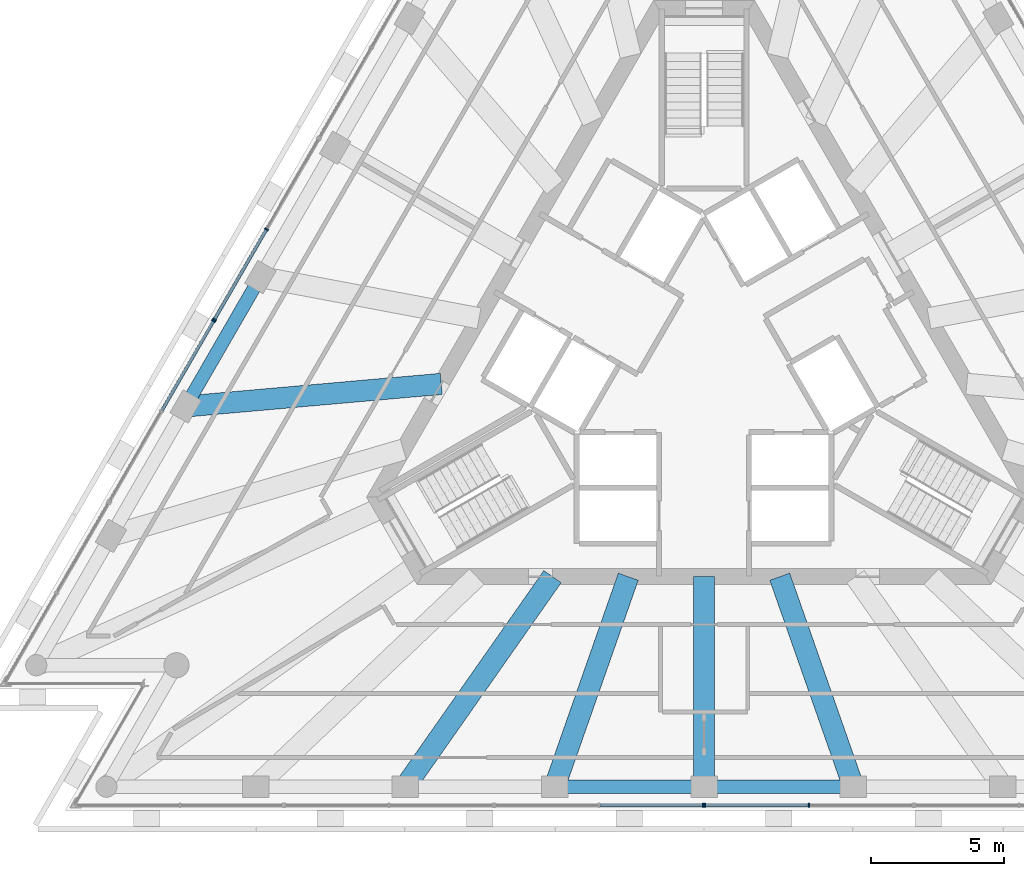
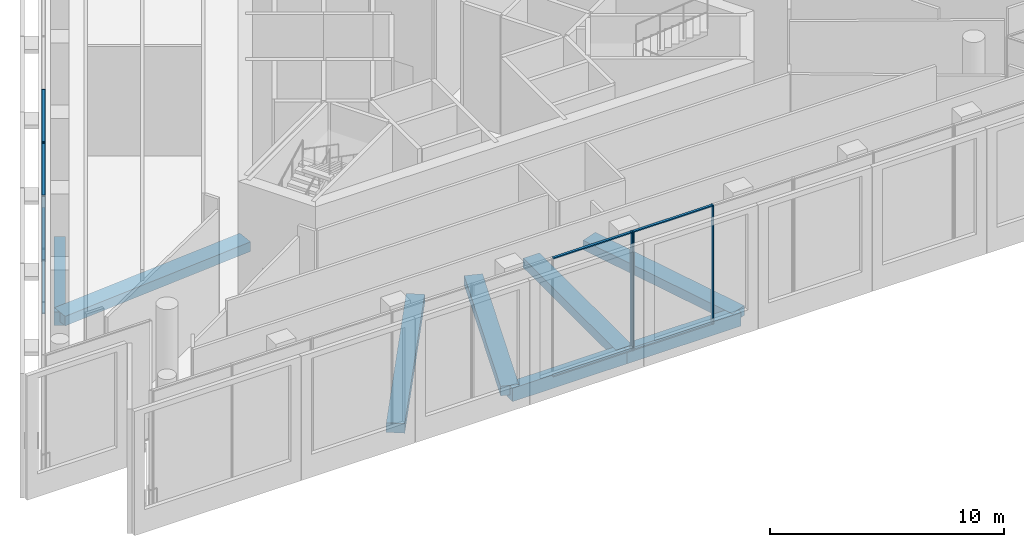
# One storey, part 3 of 16: 14 members, 8 beams, 4 elements without a shape of their own.
"""IFC4 building model written with IfcOpenShell, lengths in metres."""

from ifc_helpers import new_model, si_unit, direction, frame, origin, origin_2d, place, context, subcontext, project, spatial, rectangle, extrude, material, layer, layer_set, material_profile, profile_set, type_object, element, aggregate, save


model = new_model("IFC4")

# Units and contexts
model_context = context("Model", 3, precision=1e-05, world=origin(), true_north=direction((0.0, 1.0)))
body_context = subcontext(model_context, "Body", "Model", "MODEL_VIEW")
ifc_project = project(units=[si_unit("LENGTHUNIT", "METRE"), si_unit("AREAUNIT", "SQUARE_METRE"), si_unit("VOLUMEUNIT", "CUBIC_METRE"), si_unit("PLANEANGLEUNIT", "RADIAN"), si_unit("MASSUNIT", "GRAM", prefix="KILO")], contexts=[model_context])

# Site, building, storey
site_placement = place(None, origin())
site = spatial("IfcSite", under=ifc_project, at=site_placement, CompositionType="ELEMENT")
building_placement = place(site_placement, origin())
building = spatial("IfcBuilding", under=site, at=building_placement, Name="Triada Interchange Tower", CompositionType="ELEMENT")
storey_placement = place(building_placement, frame((0.0, 0.0, 261.800048828125)))
storey = spatial("IfcBuildingStorey", under=building, at=storey_placement, Name="L61", CompositionType="ELEMENT", Elevation=261.800048828125)

# Curtain wall, members
ifc_material_1 = material(Name="Aluminium framed glazing", Category="aluminium")
ifc_layer = layer(ifc_material_1, 0.199951171875)
ifc_layer_set = layer_set([ifc_layer], Name="Curtain wall Sky lobby glazing")
curtain_wall_type = type_object("IfcCurtainWallType", Name="Curtain wall Sky lobby glazing", PredefinedType="NOTDEFINED", material=ifc_layer_set)
curtain_wall_1_placement = place(storey_placement, origin())
curtain_wall_1 = element("IfcCurtainWall", 1, at=curtain_wall_1_placement, inside=storey, type_object=curtain_wall_type, Name="Sky lobby glazing CW204 L61", PredefinedType="NOTDEFINED")
ifc_material_2 = material(Name="Aluminium", Category="aluminium")
ifc_material_profile_1 = material_profile(ifc_material_2, rectangle(XDim=0.159912109375, YDim=0.06005859375, at=origin_2d()), Name="Aluminium mullion")
ifc_profile_set_1 = profile_set([ifc_material_profile_1], Name="Aluminium")
member_type_1 = type_object("IfcMemberType", Name="Mullion Sky lobby glazing 160x60", PredefinedType="MULLION", material=ifc_profile_set_1)
member_1_placement = place(storey_placement, frame((-16.509033203125, 4.9580078125, 0.0), z_axis=(0.0, 0.0, 1.0), x_axis=(0.866025625136, -0.499999616608, 0.0)))
member_1 = element("IfcMember", 2, at=member_1_placement, type_object=member_type_1, Name="CW204 mullion 2", PredefinedType="MULLION", context=body_context, shape_type="SweptSolid", body=[
    extrude(rectangle(XDim=0.159912109375, YDim=0.06005859375, at=origin_2d()), origin(), (0.0, 0.0, 1.0), 6.199951171875),
])
member_2_placement = place(storey_placement, frame((-18.471923828125, 1.557861328125, 0.0), z_axis=(0.0, 0.0, 1.0), x_axis=(0.866025625136, -0.499999616608, 0.0)))
member_2 = element("IfcMember", 3, at=member_2_placement, type_object=member_type_1, Name="CW204 mullion 3", PredefinedType="MULLION", context=body_context, shape_type="SweptSolid", body=[
    extrude(rectangle(XDim=0.159912109375, YDim=0.06005859375, at=origin_2d()), origin(), (0.0, 0.0, 1.0), 6.199951171875),
])

# Curtain wall, member
curtain_wall_2_placement = place(storey_placement, origin())
curtain_wall_2 = element("IfcCurtainWall", 4, at=curtain_wall_2_placement, inside=storey, type_object=curtain_wall_type, Name="Sky lobby glazing CW205 L61", PredefinedType="NOTDEFINED")
member_3_placement = place(storey_placement, frame((-18.507080078125, 1.498046875, 0.0), z_axis=(0.0, 0.0, 1.0), x_axis=(0.866080351938, -0.499904814926, 0.0)))
member_3 = element("IfcMember", 5, at=member_3_placement, type_object=member_type_1, Name="CW205 mullion 1", PredefinedType="MULLION", context=body_context, shape_type="SweptSolid", body=[
    extrude(rectangle(XDim=0.159912109375, YDim=0.06005859375, at=origin_2d()), origin(), (0.0, 0.0, 1.0), 6.199951171875),
])

curtain_wall_3_placement = place(storey_placement, origin())
curtain_wall_3 = element("IfcCurtainWall", 6, at=curtain_wall_3_placement, inside=storey, type_object=curtain_wall_type, Name="Sky lobby glazing CW211 L61", PredefinedType="NOTDEFINED")
member_4_placement = place(storey_placement, frame((-0.034912109375, -16.77587890625, 0.0), z_axis=(0.0, 0.0, 1.0), x_axis=(0.0, 1.0, 0.0)))
member_4 = element("IfcMember", 7, at=member_4_placement, type_object=member_type_1, Name="CW211 mullion 3", PredefinedType="MULLION", context=body_context, shape_type="SweptSolid", body=[
    extrude(rectangle(XDim=0.159912109375, YDim=0.06005859375, at=origin_2d()), origin(), (0.0, 0.0, 1.0), 6.199951171875),
])

# Curtain wall, members
curtain_wall_4_placement = place(storey_placement, origin())
curtain_wall_4 = element("IfcCurtainWall", 8, at=curtain_wall_4_placement, inside=storey, type_object=curtain_wall_type, Name="Sky lobby glazing CW212 L61", PredefinedType="NOTDEFINED")
member_5_placement = place(storey_placement, frame((0.034912109375, -16.77587890625, 0.0), z_axis=(0.0, 0.0, 1.0), x_axis=(0.0, 1.0, 0.0)))
member_5 = element("IfcMember", 9, at=member_5_placement, type_object=member_type_1, Name="CW212 mullion 1", PredefinedType="MULLION", context=body_context, shape_type="SweptSolid", body=[
    extrude(rectangle(XDim=0.159912109375, YDim=0.06005859375, at=origin_2d()), origin(), (0.0, 0.0, 1.0), 6.199951171875),
])
member_6_placement = place(storey_placement, frame((3.9609375, -16.77587890625, 0.0), z_axis=(0.0, 0.0, 1.0), x_axis=(0.0, 1.0, 0.0)))
member_6 = element("IfcMember", 10, at=member_6_placement, type_object=member_type_1, Name="CW212 mullion 2", PredefinedType="MULLION", context=body_context, shape_type="SweptSolid", body=[
    extrude(rectangle(XDim=0.159912109375, YDim=0.06005859375, at=origin_2d()), origin(), (0.0, 0.0, 1.0), 6.199951171875),
])

# Beams
ifc_material_3 = material(Name="Concrete C50/60", Category="concrete")
ifc_material_profile_2 = material_profile(ifc_material_3, rectangle(XDim=0.800048828125, YDim=0.5, at=origin_2d()), Name="RC 800x500")
ifc_profile_set_2 = profile_set([ifc_material_profile_2], Name="Concrete C50/60")
beam_type_1 = type_object("IfcBeamType", Name="Radial band beam D RC 800x500", PredefinedType="BEAM", material=ifc_profile_set_2)
beam_1_placement = place(storey_placement, frame((-19.56005859375, -1.72705078125, -0.550048828125), z_axis=(0.996128681073, 0.08790705742, 0.0), x_axis=(-0.08790705742, 0.996128681073, 0.0)))
element("IfcBeam", 11, at=beam_1_placement, inside=storey, type_object=beam_type_1, Name="Radial band beam BD07 L61", PredefinedType="BEAM", context=body_context, shape_type="SweptSolid", body=[
    extrude(rectangle(XDim=0.800048828125, YDim=0.5, at=origin_2d()), origin(), (0.0, 0.0, 1.0), 9.681640625),
])
beam_2_placement = place(storey_placement, frame((-11.27587890625, -16.075927734375, -0.550048828125), z_axis=(0.574198355438, 0.81871621983, 0.0), x_axis=(-0.81871621983, 0.574198355438, 0.0)))
element("IfcBeam", 12, at=beam_2_placement, inside=storey, type_object=beam_type_1, Name="Radial band beam BD13 L61", PredefinedType="BEAM", context=body_context, shape_type="SweptSolid", body=[
    extrude(rectangle(XDim=0.800048828125, YDim=0.5, at=origin_2d()), origin(), (0.0, 0.0, 1.0), 9.68115234375),
])
beam_3_placement = place(storey_placement, frame((-5.637939453125, -16.075927734375, -0.550048828125), z_axis=(0.330978287903, 0.943638369788, 0.0), x_axis=(-0.943638369788, 0.330978287903, 0.0)))
element("IfcBeam", 13, at=beam_3_placement, inside=storey, type_object=beam_type_1, Name="Radial band beam BD14 L61", PredefinedType="BEAM", context=body_context, shape_type="SweptSolid", body=[
    extrude(rectangle(XDim=0.800048828125, YDim=0.5, at=origin_2d()), origin(), (0.0, 0.0, 1.0), 8.3994140625),
])
beam_4_placement = place(storey_placement, frame((0.0, -16.075927734375, -0.550048828125), z_axis=(0.0, 1.0, 0.0), x_axis=(-1.0, 0.0, 0.0)))
element("IfcBeam", 14, at=beam_4_placement, inside=storey, type_object=beam_type_1, Name="Radial band beam BD15 L61", PredefinedType="BEAM", context=body_context, shape_type="SweptSolid", body=[
    extrude(rectangle(XDim=0.800048828125, YDim=0.5, at=origin_2d()), origin(), (0.0, 0.0, 1.0), 7.926025390625),
])
beam_5_placement = place(storey_placement, frame((5.637939453125, -16.075927734375, -0.550048828125), z_axis=(-0.330978287903, 0.943638369788, 0.0), x_axis=(-0.943638369788, -0.330978287903, 0.0)))
element("IfcBeam", 15, at=beam_5_placement, inside=storey, type_object=beam_type_1, Name="Radial band beam BD16 L61", PredefinedType="BEAM", context=body_context, shape_type="SweptSolid", body=[
    extrude(rectangle(XDim=0.800048828125, YDim=0.5, at=origin_2d()), origin(), (0.0, 0.0, 1.0), 8.3994140625),
])
ifc_material_profile_3 = material_profile(ifc_material_3, rectangle(XDim=0.5, YDim=0.699951171875, at=origin_2d()), Name="RC 500x700")
ifc_profile_set_3 = profile_set([ifc_material_profile_3], Name="Concrete C50/60")
beam_type_2 = type_object("IfcBeamType", Name="Spandrel beam D RC 500x700", PredefinedType="BEAM", material=ifc_profile_set_3)
beam_6_placement = place(storey_placement, frame((-16.740966796875, 3.156005859375, -0.650146484375), z_axis=(-0.499981075744, -0.866036329433, 0.0), x_axis=(0.866036329433, -0.499981075744, 0.0)))
element("IfcBeam", 16, at=beam_6_placement, inside=storey, type_object=beam_type_2, Name="Spandrel beam ED06 L61", PredefinedType="BEAM", context=body_context, shape_type="SweptSolid", body=[
    extrude(rectangle(XDim=0.5, YDim=0.699951171875, at=origin_2d()), origin(), (0.0, 0.0, 1.0), 5.638427734375),
])
for number, where, z_axis, x_axis, name in (
    (17, (-5.637939453125, -16.075927734375, -0.650146484375), (1.0, 0.0, 0.0), (0.0, 1.0, 0.0), "Spandrel beam ED14 L61"),
    (18, (0.0, -16.075927734375, -0.650146484375), (1.0, 0.0, 0.0), (0.0, 1.0, 0.0), "Spandrel beam ED15 L61"),
):
    element("IfcBeam", number, at=place(storey_placement, frame(where, z_axis=z_axis, x_axis=x_axis)), inside=storey, type_object=beam_type_2, Name=name, PredefinedType="BEAM", context=body_context, shape_type="SweptSolid", body=[
        extrude(rectangle(XDim=0.5, YDim=0.699951171875, at=origin_2d()), origin(), (0.0, 0.0, 1.0), 5.637939453125),
    ])

# Member
ifc_material_profile_4 = material_profile(ifc_material_2, rectangle(XDim=0.1201171875, YDim=0.06005859375, at=origin_2d()), Name="Aluminium transom")
ifc_profile_set_4 = profile_set([ifc_material_profile_4], Name="Aluminium")
member_type_2 = type_object("IfcMemberType", Name="Transom Sky lobby glazing 120x60", PredefinedType="USERDEFINED", material=ifc_profile_set_4)
member_7_placement = place(storey_placement, frame((-16.52392578125, 4.93212890625, 0.030029296875), z_axis=(-0.500010344094, -0.866019431537, 0.0), x_axis=(0.866019431537, -0.500010344094, 0.0)))
member_7 = element("IfcMember", 19, at=member_7_placement, type_object=member_type_2, Name="CW204 transom 2.1", ObjectType="TRANSOM", PredefinedType="USERDEFINED", context=body_context, shape_type="SweptSolid", body=[
    extrude(rectangle(XDim=0.1201171875, YDim=0.06005859375, at=origin_2d()), origin(), (0.0, 0.0, 1.0), 3.8662109375),
])

member_8_placement = place(storey_placement, frame((-16.52392578125, 4.93212890625, 6.169921875), z_axis=(-0.500010344094, -0.866019431537, 0.0), x_axis=(0.866019431537, -0.500010344094, 0.0)))
member_8 = element("IfcMember", 20, at=member_8_placement, type_object=member_type_2, Name="CW204 transom 2.2", ObjectType="TRANSOM", PredefinedType="USERDEFINED", context=body_context, shape_type="SweptSolid", body=[
    extrude(rectangle(XDim=0.1201171875, YDim=0.06005859375, at=origin_2d()), origin(), (0.0, 0.0, 1.0), 3.8662109375),
])

aggregate(curtain_wall_1, [member_1, member_2, member_7, member_8])

member_9_placement = place(storey_placement, frame((-18.52197265625, 1.471923828125, 0.030029296875), z_axis=(-0.499942957606, -0.866058334721, 0.0), x_axis=(0.866058334721, -0.499942957606, 0.0)))
member_9 = element("IfcMember", 21, at=member_9_placement, type_object=member_type_2, Name="CW205 transom 1.1", ObjectType="TRANSOM", PredefinedType="USERDEFINED", context=body_context, shape_type="SweptSolid", body=[
    extrude(rectangle(XDim=0.1201171875, YDim=0.06005859375, at=origin_2d()), origin(), (0.0, 0.0, 1.0), 3.86572265625),
])

member_10_placement = place(storey_placement, frame((-18.52197265625, 1.471923828125, 6.169921875), z_axis=(-0.499942957606, -0.866058334721, 0.0), x_axis=(0.866058334721, -0.499942957606, 0.0)))
member_10 = element("IfcMember", 22, at=member_10_placement, type_object=member_type_2, Name="CW205 transom 1.2", ObjectType="TRANSOM", PredefinedType="USERDEFINED", context=body_context, shape_type="SweptSolid", body=[
    extrude(rectangle(XDim=0.1201171875, YDim=0.06005859375, at=origin_2d()), origin(), (0.0, 0.0, 1.0), 3.86572265625),
])

aggregate(curtain_wall_2, [member_3, member_9, member_10])

member_11_placement = place(storey_placement, frame((-3.930908203125, -16.77587890625, 0.030029296875), z_axis=(1.0, 0.0, 0.0), x_axis=(0.0, 1.0, 0.0)))
member_11 = element("IfcMember", 23, at=member_11_placement, type_object=member_type_2, Name="CW211 transom 2.1", ObjectType="TRANSOM", PredefinedType="USERDEFINED", context=body_context, shape_type="SweptSolid", body=[
    extrude(rectangle(XDim=0.1201171875, YDim=0.06005859375, at=origin_2d()), origin(), (0.0, 0.0, 1.0), 3.865966796875),
])

member_12_placement = place(storey_placement, frame((-3.930908203125, -16.77587890625, 6.169921875), z_axis=(1.0, 0.0, 0.0), x_axis=(0.0, 1.0, 0.0)))
member_12 = element("IfcMember", 24, at=member_12_placement, type_object=member_type_2, Name="CW211 transom 2.2", ObjectType="TRANSOM", PredefinedType="USERDEFINED", context=body_context, shape_type="SweptSolid", body=[
    extrude(rectangle(XDim=0.1201171875, YDim=0.06005859375, at=origin_2d()), origin(), (0.0, 0.0, 1.0), 3.865966796875),
])

aggregate(curtain_wall_3, [member_4, member_11, member_12])

member_13_placement = place(storey_placement, frame((0.06494140625, -16.77587890625, 0.030029296875), z_axis=(1.0, 0.0, 0.0), x_axis=(0.0, 1.0, 0.0)))
member_13 = element("IfcMember", 25, at=member_13_placement, type_object=member_type_2, Name="CW212 transom 1.1", ObjectType="TRANSOM", PredefinedType="USERDEFINED", context=body_context, shape_type="SweptSolid", body=[
    extrude(rectangle(XDim=0.1201171875, YDim=0.06005859375, at=origin_2d()), origin(), (0.0, 0.0, 1.0), 3.865966796875),
])

member_14_placement = place(storey_placement, frame((0.06494140625, -16.77587890625, 6.169921875), z_axis=(1.0, 0.0, 0.0), x_axis=(0.0, 1.0, 0.0)))
member_14 = element("IfcMember", 26, at=member_14_placement, type_object=member_type_2, Name="CW212 transom 1.2", ObjectType="TRANSOM", PredefinedType="USERDEFINED", context=body_context, shape_type="SweptSolid", body=[
    extrude(rectangle(XDim=0.1201171875, YDim=0.06005859375, at=origin_2d()), origin(), (0.0, 0.0, 1.0), 3.865966796875),
])

aggregate(curtain_wall_4, [member_5, member_6, member_13, member_14])

save(model, "model.ifc")
